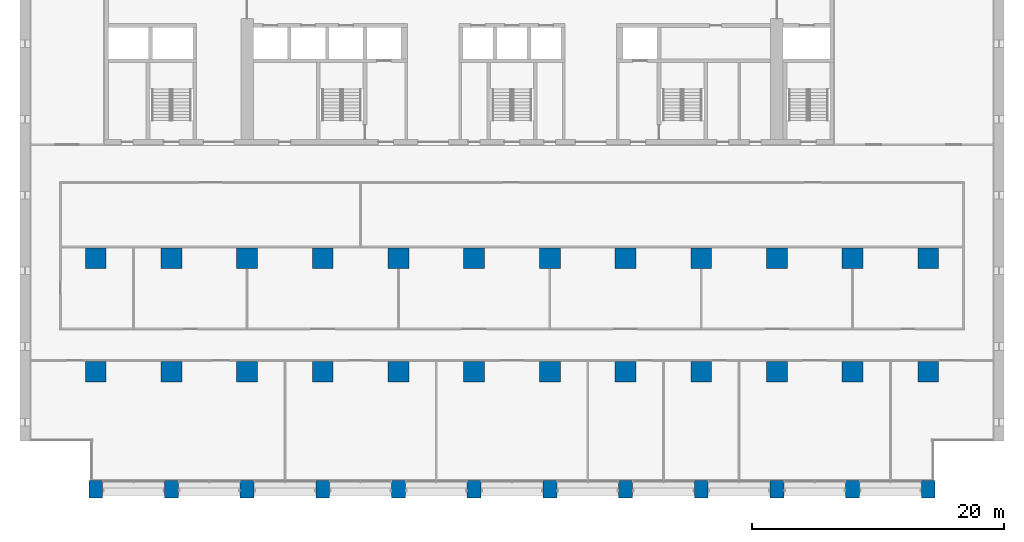
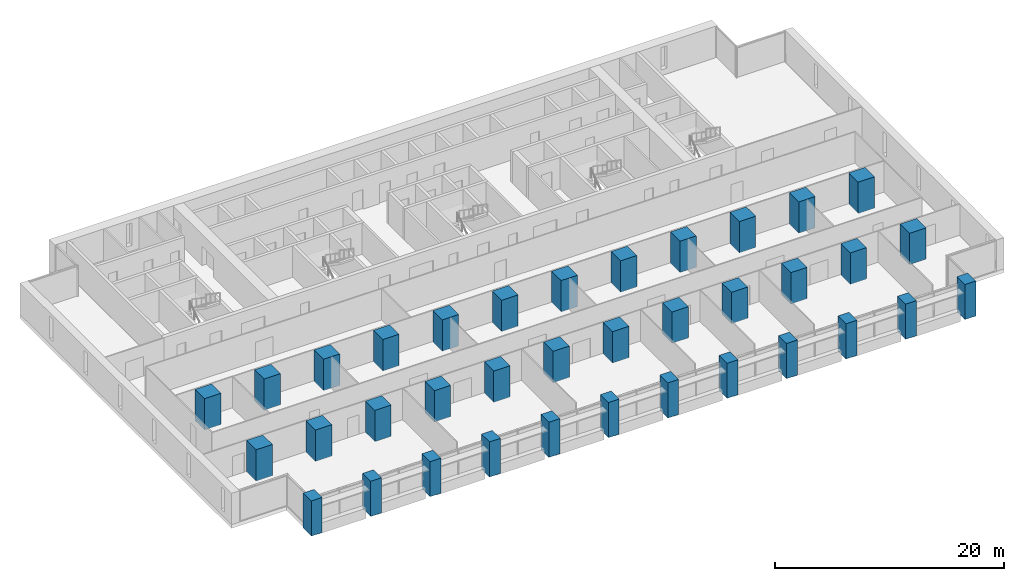
# One storey, part 1 of 18: 36 columns.
"""IFC4 building model written with IfcOpenShell, lengths in metres."""

from ifc_helpers import new_model, si_unit, direction, frame, origin, origin_2d, place, context, subcontext, project, spatial, rectangle, extrude, material, material_profile, profile_set, type_object, element, save


model = new_model("IFC4")

# Units and contexts
model_context = context("Model", 3, precision=1e-05, world=origin(), true_north=direction((0.0, 1.0)))
body_context = subcontext(model_context, "Body", "Model", "MODEL_VIEW")
ifc_project = project(units=[si_unit("LENGTHUNIT", "METRE"), si_unit("AREAUNIT", "SQUARE_METRE"), si_unit("VOLUMEUNIT", "CUBIC_METRE"), si_unit("PLANEANGLEUNIT", "RADIAN"), si_unit("MASSUNIT", "GRAM", prefix="KILO")], contexts=[model_context])

# Site, building, storey
site_placement = place(None, origin())
site = spatial("IfcSite", under=ifc_project, at=site_placement, CompositionType="ELEMENT")
building_placement = place(site_placement, origin())
building = spatial("IfcBuilding", under=site, at=building_placement, Name="Calvaro Tower", CompositionType="ELEMENT")
storey_placement = place(building_placement, frame((0.0, 0.0, 60.0)))
storey = spatial("IfcBuildingStorey", under=building, at=storey_placement, Name="L14", CompositionType="ELEMENT", Elevation=60.0)

# Columns
ifc_material_1 = material(Name="Concrete C80/95", Category="concrete")
ifc_material_profile_1 = material_profile(ifc_material_1, rectangle(XDim=1.64990234375, YDim=1.64990234375, at=origin_2d()), Name="RC 1650x1650")
ifc_profile_set_1 = profile_set([ifc_material_profile_1], Name="Concrete C80/95")
column_type_1 = type_object("IfcColumnType", Name="Column 1650x1650 C80/95", PredefinedType="COLUMN", material=ifc_profile_set_1)
for number, where, z_axis, x_axis, name in (
    (1, (6.0, 10.0, 0.0), (0.0, 0.0, 1.0), (1.0, 0.0, 0.0), "Column 2B"),
    (2, (6.0, 19.0, 0.0), (0.0, 0.0, 1.0), (1.0, 0.0, 0.0), "Column 2C"),
    (3, (12.0, 10.0, 0.0), (0.0, 0.0, 1.0), (1.0, 0.0, 0.0), "Column 3B"),
    (4, (12.0, 19.0, 0.0), (0.0, 0.0, 1.0), (1.0, 0.0, 0.0), "Column 3C"),
    (5, (18.0, 10.0, 0.0), (0.0, 0.0, 1.0), (1.0, 0.0, 0.0), "Column 4B"),
    (6, (18.0, 19.0, 0.0), (0.0, 0.0, 1.0), (1.0, 0.0, 0.0), "Column 4C"),
    (7, (24.0, 10.0, 0.0), (0.0, 0.0, 1.0), (1.0, 0.0, 0.0), "Column 5B"),
    (8, (24.0, 19.0, 0.0), (0.0, 0.0, 1.0), (1.0, 0.0, 0.0), "Column 5C"),
    (9, (30.0, 10.0, 0.0), (0.0, 0.0, 1.0), (1.0, 0.0, 0.0), "Column 6B"),
    (10, (30.0, 19.0, 0.0), (0.0, 0.0, 1.0), (1.0, 0.0, 0.0), "Column 6C"),
    (11, (36.0, 10.0, 0.0), (0.0, 0.0, 1.0), (1.0, 0.0, 0.0), "Column 7B"),
    (12, (36.0, 19.0, 0.0), (0.0, 0.0, 1.0), (1.0, 0.0, 0.0), "Column 7C"),
    (13, (42.0, 10.0, 0.0), (0.0, 0.0, 1.0), (1.0, 0.0, 0.0), "Column 8B"),
    (14, (42.0, 19.0, 0.0), (0.0, 0.0, 1.0), (1.0, 0.0, 0.0), "Column 8C"),
    (15, (48.0, 10.0, 0.0), (0.0, 0.0, 1.0), (1.0, 0.0, 0.0), "Column 9B"),
    (16, (48.0, 19.0, 0.0), (0.0, 0.0, 1.0), (1.0, 0.0, 0.0), "Column 9C"),
    (17, (54.0, 10.0, 0.0), (0.0, 0.0, 1.0), (1.0, 0.0, 0.0), "Column 10B"),
    (18, (54.0, 19.0, 0.0), (0.0, 0.0, 1.0), (1.0, 0.0, 0.0), "Column 10C"),
    (19, (60.0, 10.0, 0.0), (0.0, 0.0, 1.0), (1.0, 0.0, 0.0), "Column 11B"),
    (20, (60.0, 19.0, 0.0), (0.0, 0.0, 1.0), (1.0, 0.0, 0.0), "Column 11C"),
    (21, (66.0, 10.0, 0.0), (0.0, 0.0, 1.0), (1.0, 0.0, 0.0), "Column 12B"),
    (22, (66.0, 19.0, 0.0), (0.0, 0.0, 1.0), (1.0, 0.0, 0.0), "Column 12C"),
    (23, (72.0, 10.0, 0.0), (0.0, 0.0, 1.0), (1.0, 0.0, 0.0), "Column 13B"),
    (24, (72.0, 19.0, 0.0), (0.0, 0.0, 1.0), (1.0, 0.0, 0.0), "Column 13C"),
):
    element("IfcColumn", number, at=place(storey_placement, frame(where, z_axis=z_axis, x_axis=x_axis)), inside=storey, type_object=column_type_1, Name=name, PredefinedType="COLUMN", context=body_context, shape_type="SweptSolid", body=[
        extrude(rectangle(XDim=1.64990234375, YDim=1.64990234375, at=origin_2d()), origin(), (0.0, 0.0, 1.0), 3.35009765625),
    ])
ifc_material_2 = material(Name="Concrete C80/95", Category="concrete")
ifc_material_profile_2 = material_profile(ifc_material_2, rectangle(XDim=1.10009765625, YDim=1.39990234375, at=origin_2d()), Name="RC 1100x1400")
ifc_profile_set_2 = profile_set([ifc_material_profile_2], Name="Concrete C80/95")
column_type_2 = type_object("IfcColumnType", Name="Pier 1100x1400 C80/95", PredefinedType="COLUMN", material=ifc_profile_set_2)
for number, where, z_axis, x_axis, name in (
    (25, (6.0, 0.699951171875, -0.39990234375), (0.0, 0.0, 1.0), (1.0, 0.0, 0.0), "South pier 2"),
    (26, (12.0, 0.699951171875, -0.39990234375), (0.0, 0.0, 1.0), (1.0, 0.0, 0.0), "South pier 3"),
    (27, (18.0, 0.699951171875, -0.39990234375), (0.0, 0.0, 1.0), (1.0, 0.0, 0.0), "South pier 4"),
    (28, (24.0, 0.699951171875, -0.39990234375), (0.0, 0.0, 1.0), (1.0, 0.0, 0.0), "South pier 5"),
    (29, (30.0, 0.699951171875, -0.39990234375), (0.0, 0.0, 1.0), (1.0, 0.0, 0.0), "South pier 6"),
    (30, (36.0, 0.699951171875, -0.39990234375), (0.0, 0.0, 1.0), (1.0, 0.0, 0.0), "South pier 7"),
    (31, (42.0, 0.699951171875, -0.39990234375), (0.0, 0.0, 1.0), (1.0, 0.0, 0.0), "South pier 8"),
    (32, (48.0, 0.699951171875, -0.39990234375), (0.0, 0.0, 1.0), (1.0, 0.0, 0.0), "South pier 9"),
    (33, (54.0, 0.699951171875, -0.39990234375), (0.0, 0.0, 1.0), (1.0, 0.0, 0.0), "South pier 10"),
    (34, (60.0, 0.699951171875, -0.39990234375), (0.0, 0.0, 1.0), (1.0, 0.0, 0.0), "South pier 11"),
    (35, (66.0, 0.699951171875, -0.39990234375), (0.0, 0.0, 1.0), (1.0, 0.0, 0.0), "South pier 12"),
    (36, (72.0, 0.699951171875, -0.39990234375), (0.0, 0.0, 1.0), (1.0, 0.0, 0.0), "South pier 13"),
):
    element("IfcColumn", number, at=place(storey_placement, frame(where, z_axis=z_axis, x_axis=x_axis)), inside=storey, type_object=column_type_2, Name=name, PredefinedType="COLUMN", context=body_context, shape_type="SweptSolid", body=[
        extrude(rectangle(XDim=1.10009765625, YDim=1.39990234375, at=origin_2d()), origin(), (0.0, 0.0, 1.0), 3.75),
    ])

save(model, "model.ifc")
